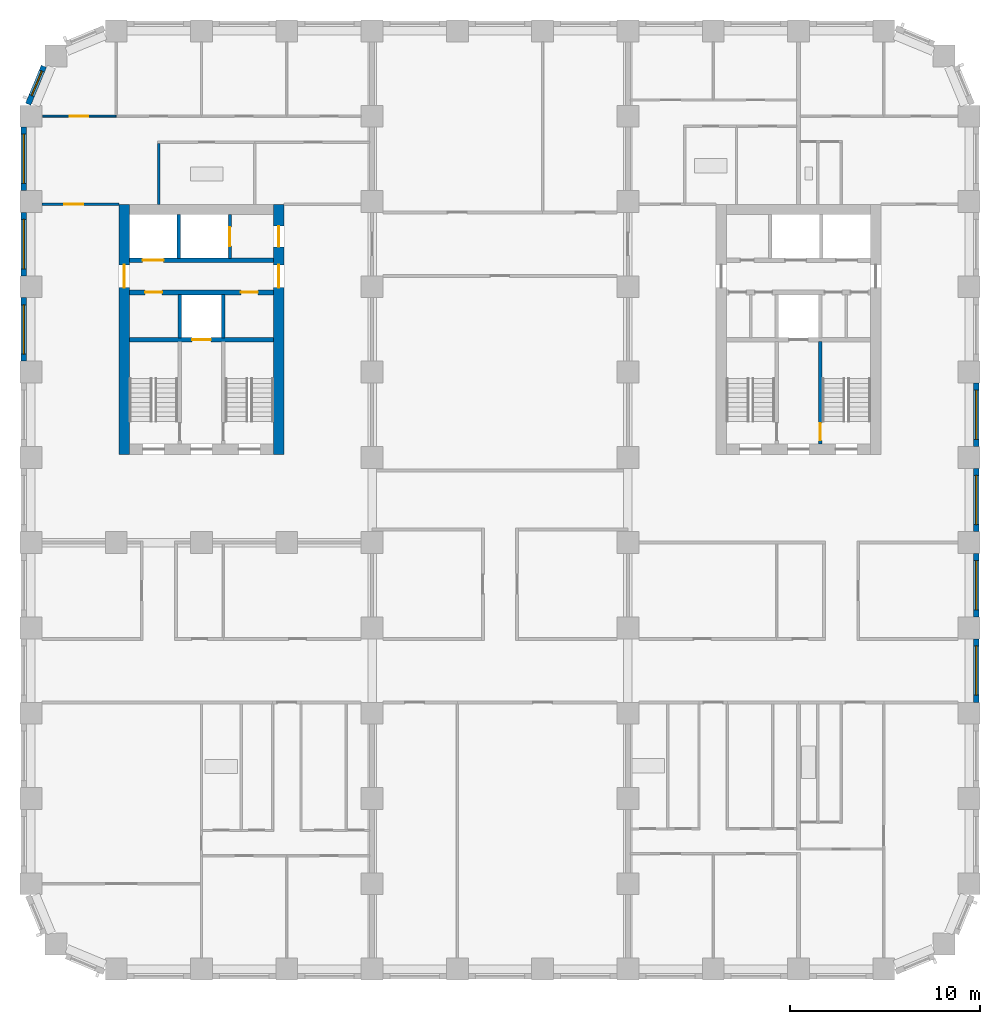
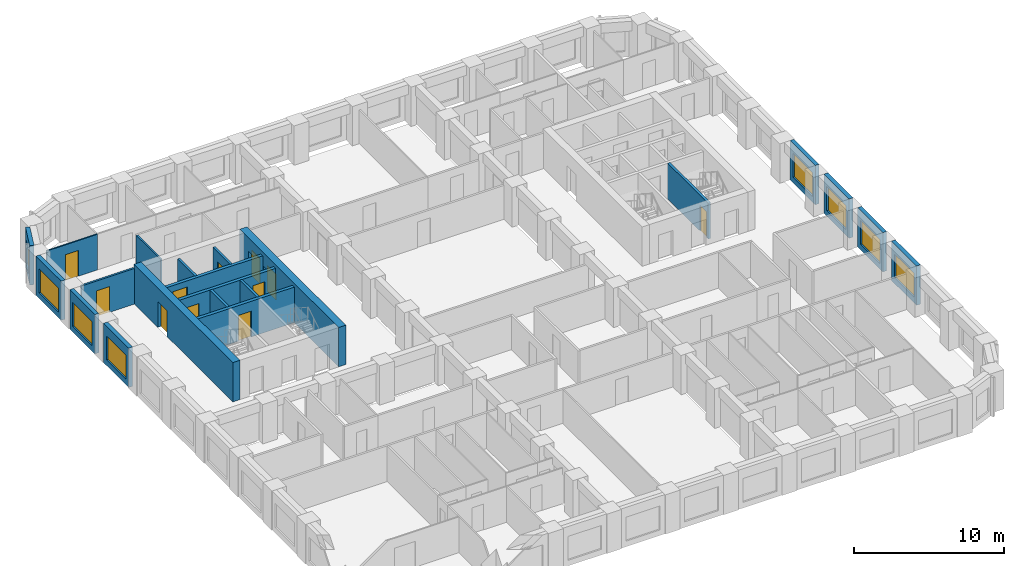
# One storey, part 6 of 12: 21 walls, 11 doors, 8 windows, 19 openings.
"""IFC4 building model written with IfcOpenShell, lengths in metres."""

from ifc_helpers import new_model, si_unit, direction, frame, frame_2d, origin, place, context, subcontext, project, spatial, rectangle, extrude, material, layer, layer_set, type_object, element, fill, save


model = new_model("IFC4")

# Units and contexts
model_context = context("Model", 3, precision=1e-05, world=origin(), true_north=direction((0.0, 1.0)))
body_context = subcontext(model_context, "Body", "Model", "MODEL_VIEW")
ifc_project = project(units=[si_unit("LENGTHUNIT", "METRE"), si_unit("AREAUNIT", "SQUARE_METRE"), si_unit("VOLUMEUNIT", "CUBIC_METRE"), si_unit("PLANEANGLEUNIT", "RADIAN"), si_unit("MASSUNIT", "GRAM", prefix="KILO")], contexts=[model_context])

# Site, building, storey
site_placement = place(None, origin())
site = spatial("IfcSite", under=ifc_project, at=site_placement, CompositionType="ELEMENT")
building_placement = place(site_placement, origin())
building = spatial("IfcBuilding", under=site, at=building_placement, Name="Girih Gate Residences", CompositionType="ELEMENT")
storey_placement = place(building_placement, frame((0.0, 0.0, 115.199951171875)))
storey = spatial("IfcBuildingStorey", under=building, at=storey_placement, Name="L32", CompositionType="ELEMENT", Elevation=115.199951171875)

# Wall, opening, door
ifc_material_1 = material(Name="Gypsum board on steel studs", Category="steel")
ifc_layer_1 = layer(ifc_material_1, 0.14990234375)
ifc_layer_set_1 = layer_set([ifc_layer_1], Name="Compartment wall 150 mm")
wall_type_1 = type_object("IfcWallType", Name="Compartment wall 150 mm", PredefinedType="PARTITIONING", material=ifc_layer_set_1)
wall_1_placement = place(storey_placement, frame((0.574951171875, 40.35009765625, 0.0), z_axis=(0.0, 0.0, 1.0), x_axis=(1.0, 0.0, 0.0)))
wall_1 = element("IfcWall", 1, at=wall_1_placement, inside=storey, type_object=wall_type_1, Name="L32 partition", PredefinedType="PARTITIONING", context=body_context, shape_type="SweptSolid", body=[
    extrude(rectangle(XDim=4.074951171875, YDim=0.14990234375, at=frame_2d((2.03759765625, 0.0))), origin(), (0.0, 0.0, 1.0), 2.900146484375),
])
opening_1_placement = place(wall_1_placement, frame((1.175048828125, 0.0, 0.0)))
opening_1 = element("IfcOpeningElement", 2, at=opening_1_placement, cuts=wall_1, Name="Opening A32-016", PredefinedType="OPENING", context=body_context, shape_type="SweptSolid", body=[
    extrude(rectangle(XDim=1.0, YDim=2.10009765625, at=frame_2d((0.5, 1.050048828125))), frame((0.0, 0.0849609375, 0.0), z_axis=(0.0, -1.0, 0.0), x_axis=(1.0, 0.0, 0.0)), (0.0, 0.0, 1.0), 0.169921875),
])
ifc_material_2 = material(Name="Timber, fire-rated core", Category="wood")
door_type_1 = type_object("IfcDoorType", Name="Flat entrance door 1000x2100 FD30S", OperationType="NOTDEFINED", PredefinedType="DOOR", material=ifc_material_2)
door_1_placement = place(opening_1_placement, origin())
door_1 = element("IfcDoor", 3, at=door_1_placement, inside=storey, type_object=door_type_1, Name="Door A32-016", OperationType="SINGLE_SWING_LEFT", OverallHeight=2.10009765625, OverallWidth=1.0, PredefinedType="DOOR", context=body_context, shape_type="SweptSolid", body=[
    extrude(rectangle(XDim=1.0, YDim=2.10009765625, at=frame_2d((0.5, 1.050048828125))), frame((0.0, 0.02490234375, 0.0), z_axis=(0.0, -1.0, 0.0), x_axis=(1.0, 0.0, 0.0)), (0.0, 0.0, 1.0), 0.050048828125),
])
fill(opening_1, door_1)

ifc_material_3 = material(Name="Concrete C60/75", Category="concrete")
ifc_layer_2 = layer(ifc_material_3, 0.550048828125)
ifc_layer_set_2 = layer_set([ifc_layer_2], Name="Core wall RC 550 Concrete C60/75")
wall_type_2 = type_object("IfcWallType", Name="Core wall RC 550 Concrete C60/75", PredefinedType="SOLIDWALL", material=ifc_layer_set_2)
wall_2_placement = place(storey_placement, frame((4.925048828125, 27.14990234375, 0.0), z_axis=(0.0, 0.0, 1.0), x_axis=(0.0, 1.0, 0.0)))
wall_2 = element("IfcWall", 4, at=wall_2_placement, inside=storey, type_object=wall_type_2, Name="Core wall W-W L32", PredefinedType="SOLIDWALL", context=body_context, shape_type="SweptSolid", body=[
    extrude(rectangle(XDim=13.2001953125, YDim=0.550048828125, at=frame_2d((6.60009765625, 0.0))), origin(), (0.0, 0.0, 1.0), 3.199951171875),
])
opening_2_placement = place(wall_2_placement, frame((8.800048828125, 0.0, 0.0)))
opening_2 = element("IfcOpeningElement", 5, at=opening_2_placement, cuts=wall_2, Name="Opening D-L32-W-012", PredefinedType="OPENING", context=body_context, shape_type="SweptSolid", body=[
    extrude(rectangle(XDim=1.199951171875, YDim=2.10009765625, at=frame_2d((0.60009765625, 1.050048828125))), frame((0.0, 0.284912109375, 0.0), z_axis=(0.0, -1.0, 0.0), x_axis=(1.0, 0.0, 0.0)), (0.0, 0.0, 1.0), 0.570068359375),
])
ifc_material_4 = material(Name="Painted steel, fire-resisting", Category="steel")
door_type_2 = type_object("IfcDoorType", Name="Fire door 1200x2100", OperationType="SINGLE_SWING_LEFT", PredefinedType="DOOR", material=ifc_material_4)
door_2_placement = place(opening_2_placement, origin())
door_2 = element("IfcDoor", 6, at=door_2_placement, inside=storey, type_object=door_type_2, Name="L32 W core door ll-w", OperationType="SINGLE_SWING_LEFT", OverallHeight=2.10009765625, OverallWidth=1.199951171875, PredefinedType="DOOR", context=body_context, shape_type="SweptSolid", body=[
    extrude(rectangle(XDim=1.199951171875, YDim=2.10009765625, at=frame_2d((0.60009765625, 1.050048828125))), frame((0.0, 0.02490234375, 0.0), z_axis=(0.0, -1.0, 0.0), x_axis=(1.0, 0.0, 0.0)), (0.0, 0.0, 1.0), 0.050048828125),
])
fill(opening_2, door_2)

# Wall, openings, doors
wall_3_placement = place(storey_placement, frame((13.074951171875, 27.14990234375, 0.0), z_axis=(0.0, 0.0, 1.0), x_axis=(0.0, 1.0, 0.0)))
wall_3 = element("IfcWall", 7, at=wall_3_placement, inside=storey, type_object=wall_type_2, Name="Core wall W-E L32", PredefinedType="SOLIDWALL", context=body_context, shape_type="SweptSolid", body=[
    extrude(rectangle(XDim=13.2001953125, YDim=0.550048828125, at=frame_2d((6.60009765625, 0.0))), origin(), (0.0, 0.0, 1.0), 3.199951171875),
])
opening_3_placement = place(wall_3_placement, frame((10.949951171875, 0.0, 0.0)))
opening_3 = element("IfcOpeningElement", 8, at=opening_3_placement, cuts=wall_3, Name="Opening D-L32-W-011", PredefinedType="OPENING", context=body_context, shape_type="SweptSolid", body=[
    extrude(rectangle(XDim=1.10009765625, YDim=2.10009765625, at=frame_2d((0.550048828125, 1.050048828125))), frame((0.0, 0.284912109375, 0.0), z_axis=(0.0, -1.0, 0.0), x_axis=(1.0, 0.0, 0.0)), (0.0, 0.0, 1.0), 0.570068359375),
])
opening_4_placement = place(wall_3_placement, frame((8.800048828125, 0.0, 0.0)))
opening_4 = element("IfcOpeningElement", 9, at=opening_4_placement, cuts=wall_3, Name="Opening D-L32-W-013", PredefinedType="OPENING", context=body_context, shape_type="SweptSolid", body=[
    extrude(rectangle(XDim=1.199951171875, YDim=2.10009765625, at=frame_2d((0.60009765625, 1.050048828125))), frame((0.0, 0.284912109375, 0.0), z_axis=(0.0, -1.0, 0.0), x_axis=(1.0, 0.0, 0.0)), (0.0, 0.0, 1.0), 0.570068359375),
])
door_type_3 = type_object("IfcDoorType", Name="Fire door 1100x2100", OperationType="SINGLE_SWING_LEFT", PredefinedType="DOOR", material=ifc_material_4)
door_3_placement = place(opening_3_placement, origin())
door_3 = element("IfcDoor", 10, at=door_3_placement, inside=storey, type_object=door_type_3, Name="L32 W core door ffl2-e", OperationType="SINGLE_SWING_LEFT", OverallHeight=2.10009765625, OverallWidth=1.10009765625, PredefinedType="DOOR", context=body_context, shape_type="SweptSolid", body=[
    extrude(rectangle(XDim=1.10009765625, YDim=2.10009765625, at=frame_2d((0.550048828125, 1.050048828125))), frame((0.0, 0.02490234375, 0.0), z_axis=(0.0, -1.0, 0.0), x_axis=(1.0, 0.0, 0.0)), (0.0, 0.0, 1.0), 0.050048828125),
])
fill(opening_3, door_3)
door_4_placement = place(opening_4_placement, origin())
door_4 = element("IfcDoor", 11, at=door_4_placement, inside=storey, type_object=door_type_2, Name="L32 W core door ll-e", OperationType="SINGLE_SWING_LEFT", OverallHeight=2.10009765625, OverallWidth=1.199951171875, PredefinedType="DOOR", context=body_context, shape_type="SweptSolid", body=[
    extrude(rectangle(XDim=1.199951171875, YDim=2.10009765625, at=frame_2d((0.60009765625, 1.050048828125))), frame((0.0, 0.02490234375, 0.0), z_axis=(0.0, -1.0, 0.0), x_axis=(1.0, 0.0, 0.0)), (0.0, 0.0, 1.0), 0.050048828125),
])
fill(opening_4, door_4)

# Wall, opening, door
ifc_material_5 = material(Name="Concrete C40/50", Category="concrete")
ifc_layer_3 = layer(ifc_material_5, 0.25)
ifc_layer_set_3 = layer_set([ifc_layer_3], Name="Lift shaft wall 250")
wall_type_3 = type_object("IfcWallType", Name="Lift shaft wall 250", PredefinedType="SOLIDWALL", material=ifc_layer_set_3)
wall_4_placement = place(storey_placement, frame((5.199951171875, 33.199951171875, 0.0), z_axis=(0.0, 0.0, 1.0), x_axis=(1.0, 0.0, 0.0)))
wall_4 = element("IfcWall", 12, at=wall_4_placement, inside=storey, type_object=wall_type_3, Name="L32 W core wall H1", PredefinedType="SOLIDWALL", context=body_context, shape_type="SweptSolid", body=[
    extrude(rectangle(XDim=7.60009765625, YDim=0.25, at=frame_2d((3.800048828125, 0.0))), origin(), (0.0, 0.0, 1.0), 2.900146484375),
])
opening_5_placement = place(wall_4_placement, frame((3.300048828125, 0.0, 0.0)))
opening_5 = element("IfcOpeningElement", 13, at=opening_5_placement, cuts=wall_4, Name="Opening D-L32-W-005", PredefinedType="OPENING", context=body_context, shape_type="SweptSolid", body=[
    extrude(rectangle(XDim=1.0, YDim=2.10009765625, at=frame_2d((0.5, 1.050048828125))), frame((0.0, 0.135009765625, 0.0), z_axis=(0.0, -1.0, 0.0), x_axis=(1.0, 0.0, 0.0)), (0.0, 0.0, 1.0), 0.27001953125),
])
ifc_material_6 = material(Name="Stainless steel, fire-resisting", Category="steel")
door_type_4 = type_object("IfcDoorType", Name="Firefighting lift landing door 1000x2100", OperationType="SLIDING_TO_LEFT", PredefinedType="DOOR", material=ifc_material_6)
door_5_placement = place(opening_5_placement, origin())
door_5 = element("IfcDoor", 14, at=door_5_placement, inside=storey, type_object=door_type_4, Name="L32 lift FF-W landing door", OperationType="SLIDING_TO_LEFT", OverallHeight=2.10009765625, OverallWidth=1.0, PredefinedType="DOOR", context=body_context, shape_type="SweptSolid", body=[
    extrude(rectangle(XDim=1.0, YDim=2.10009765625, at=frame_2d((0.5, 1.050048828125))), frame((0.0, 0.02490234375, 0.0), z_axis=(0.0, -1.0, 0.0), x_axis=(1.0, 0.0, 0.0)), (0.0, 0.0, 1.0), 0.050048828125),
])
fill(opening_5, door_5)

# Wall, openings, doors
wall_5_placement = place(storey_placement, frame((5.199951171875, 35.699951171875, 0.0), z_axis=(0.0, 0.0, 1.0), x_axis=(1.0, 0.0, 0.0)))
wall_5 = element("IfcWall", 15, at=wall_5_placement, inside=storey, type_object=wall_type_3, Name="L32 W core wall H2", PredefinedType="SOLIDWALL", context=body_context, shape_type="SweptSolid", body=[
    extrude(rectangle(XDim=7.60009765625, YDim=0.25, at=frame_2d((3.800048828125, 0.0))), origin(), (0.0, 0.0, 1.0), 2.900146484375),
])
opening_6_placement = place(wall_5_placement, frame((0.824951171875, 0.0, 0.0)))
opening_6 = element("IfcOpeningElement", 16, at=opening_6_placement, cuts=wall_5, Name="Opening D-L32-W-006", PredefinedType="OPENING", context=body_context, shape_type="SweptSolid", body=[
    extrude(rectangle(XDim=0.89990234375, YDim=2.10009765625, at=frame_2d((0.449951171875, 1.050048828125))), frame((0.0, 0.135009765625, 0.0), z_axis=(0.0, -1.0, 0.0), x_axis=(1.0, 0.0, 0.0)), (0.0, 0.0, 1.0), 0.27001953125),
])
opening_7_placement = place(wall_5_placement, frame((5.875, 0.0, 0.0)))
opening_7 = element("IfcOpeningElement", 17, at=opening_7_placement, cuts=wall_5, Name="Opening D-L32-W-007", PredefinedType="OPENING", context=body_context, shape_type="SweptSolid", body=[
    extrude(rectangle(XDim=0.89990234375, YDim=2.10009765625, at=frame_2d((0.449951171875, 1.050048828125))), frame((0.0, 0.135009765625, 0.0), z_axis=(0.0, -1.0, 0.0), x_axis=(1.0, 0.0, 0.0)), (0.0, 0.0, 1.0), 0.27001953125),
])
door_type_5 = type_object("IfcDoorType", Name="Fire door 900x2100", OperationType="SINGLE_SWING_LEFT", PredefinedType="DOOR", material=ifc_material_4)
door_6_placement = place(opening_6_placement, origin())
door_6 = element("IfcDoor", 18, at=door_6_placement, inside=storey, type_object=door_type_5, Name="L32 W riser room door", OperationType="SINGLE_SWING_LEFT", OverallHeight=2.10009765625, OverallWidth=0.89990234375, PredefinedType="DOOR", context=body_context, shape_type="SweptSolid", body=[
    extrude(rectangle(XDim=0.89990234375, YDim=2.10009765625, at=frame_2d((0.449951171875, 1.050048828125))), frame((0.0, 0.02490234375, 0.0), z_axis=(0.0, -1.0, 0.0), x_axis=(1.0, 0.0, 0.0)), (0.0, 0.0, 1.0), 0.050048828125),
])
fill(opening_6, door_6)
door_7_placement = place(opening_7_placement, origin())
door_7 = element("IfcDoor", 19, at=door_7_placement, inside=storey, type_object=door_type_5, Name="L32 W linen store door", OperationType="SINGLE_SWING_LEFT", OverallHeight=2.10009765625, OverallWidth=0.89990234375, PredefinedType="DOOR", context=body_context, shape_type="SweptSolid", body=[
    extrude(rectangle(XDim=0.89990234375, YDim=2.10009765625, at=frame_2d((0.449951171875, 1.050048828125))), frame((0.0, 0.02490234375, 0.0), z_axis=(0.0, -1.0, 0.0), x_axis=(1.0, 0.0, 0.0)), (0.0, 0.0, 1.0), 0.050048828125),
])
fill(opening_7, door_7)

# Wall, opening, door
wall_6_placement = place(storey_placement, frame((5.199951171875, 37.39990234375, 0.0), z_axis=(0.0, 0.0, 1.0), x_axis=(1.0, 0.0, 0.0)))
wall_6 = element("IfcWall", 20, at=wall_6_placement, inside=storey, type_object=wall_type_3, Name="L32 W core wall H3", PredefinedType="SOLIDWALL", context=body_context, shape_type="SweptSolid", body=[
    extrude(rectangle(XDim=7.60009765625, YDim=0.25, at=frame_2d((3.800048828125, 0.0))), origin(), (0.0, 0.0, 1.0), 2.900146484375),
])
opening_8_placement = place(wall_6_placement, frame((0.699951171875, 0.0, 0.0)))
opening_8 = element("IfcOpeningElement", 21, at=opening_8_placement, cuts=wall_6, Name="Opening D-L32-W-003", PredefinedType="OPENING", context=body_context, shape_type="SweptSolid", body=[
    extrude(rectangle(XDim=1.10009765625, YDim=2.39990234375, at=frame_2d((0.550048828125, 1.199951171875))), frame((0.0, 0.135009765625, 0.0), z_axis=(0.0, -1.0, 0.0), x_axis=(1.0, 0.0, 0.0)), (0.0, 0.0, 1.0), 0.27001953125),
])
ifc_material_7 = material(Name="Stainless steel", Category="steel")
door_type_6 = type_object("IfcDoorType", Name="Lift landing door 1100x2400", OperationType="SLIDING_TO_LEFT", PredefinedType="DOOR", material=ifc_material_7)
door_8_placement = place(opening_8_placement, origin())
door_8 = element("IfcDoor", 22, at=door_8_placement, inside=storey, type_object=door_type_6, Name="L32 lift LR-W1 landing door", OperationType="SLIDING_TO_LEFT", OverallHeight=2.39990234375, OverallWidth=1.10009765625, PredefinedType="DOOR", context=body_context, shape_type="SweptSolid", body=[
    extrude(rectangle(XDim=1.10009765625, YDim=2.39990234375, at=frame_2d((0.550048828125, 1.199951171875))), frame((0.0, 0.02490234375, 0.0), z_axis=(0.0, -1.0, 0.0), x_axis=(1.0, 0.0, 0.0)), (0.0, 0.0, 1.0), 0.050048828125),
])
fill(opening_8, door_8)

ifc_layer_4 = layer(ifc_material_1, 0.10009765625)
ifc_layer_set_4 = layer_set([ifc_layer_4], Name="Partition 100 mm")
wall_type_4 = type_object("IfcWallType", Name="Partition 100 mm", PredefinedType="PARTITIONING", material=ifc_layer_set_4)
wall_7_placement = place(storey_placement, frame((0.622314453125, 45.0, 0.0), z_axis=(0.0, 0.0, 1.0), x_axis=(1.0, 0.0, 0.0)))
wall_7 = element("IfcWall", 23, at=wall_7_placement, inside=storey, type_object=wall_type_4, Name="L32 partition", PredefinedType="PARTITIONING", context=body_context, shape_type="SweptSolid", body=[
    extrude(rectangle(XDim=3.877685546875, YDim=0.10009765625, at=frame_2d((1.93896484375, 0.0))), origin(), (0.0, 0.0, 1.0), 2.900146484375),
])
opening_9_placement = place(wall_7_placement, frame((1.4150390625, 0.0, 0.0)))
opening_9 = element("IfcOpeningElement", 24, at=opening_9_placement, cuts=wall_7, Name="Opening A32-015", PredefinedType="OPENING", context=body_context, shape_type="SweptSolid", body=[
    extrude(rectangle(XDim=1.0, YDim=2.10009765625, at=frame_2d((0.5, 1.050048828125))), frame((0.0, 0.06005859375, 0.0), z_axis=(0.0, -1.0, 0.0), x_axis=(1.0, 0.0, 0.0)), (0.0, 0.0, 1.0), 0.1201171875),
])
ifc_material_8 = material(Name="Timber", Category="wood")
door_type_7 = type_object("IfcDoorType", Name="Living room door 1000x2100", OperationType="NOTDEFINED", PredefinedType="DOOR", material=ifc_material_8)
door_9_placement = place(opening_9_placement, origin())
door_9 = element("IfcDoor", 25, at=door_9_placement, inside=storey, type_object=door_type_7, Name="Door A32-015", OperationType="SINGLE_SWING_LEFT", OverallHeight=2.10009765625, OverallWidth=1.0, PredefinedType="DOOR", context=body_context, shape_type="SweptSolid", body=[
    extrude(rectangle(XDim=1.0, YDim=2.10009765625, at=frame_2d((0.5, 1.050048828125))), frame((0.0, 0.02490234375, 0.0), z_axis=(0.0, -1.0, 0.0), x_axis=(1.0, 0.0, 0.0)), (0.0, 0.0, 1.0), 0.050048828125),
])
fill(opening_9, door_9)

# Wall, opening, window
ifc_material_9 = material(Name="Precast concrete C50/60", Category="concrete")
ifc_layer_5 = layer(ifc_material_9, 0.080078125, Name="Outer leaf")
ifc_material_10 = material(Name="Rigid PIR insulation")
ifc_layer_6 = layer(ifc_material_10, 0.14990234375, Name="Insulation")
ifc_material_11 = material(Name="Precast concrete C40/50", Category="concrete")
ifc_layer_7 = layer(ifc_material_11, 0.070068359375, Name="Inner leaf")
ifc_layer_set_5 = layer_set([ifc_layer_5, ifc_layer_6, ifc_layer_7], Name="Precast concrete C50/60 external wall 300")
wall_type_5 = type_object("IfcWallType", Name="Precast concrete C50/60 external wall 300", PredefinedType="SOLIDWALL", material=ifc_layer_set_5)
wall_8_placement = place(storey_placement, frame((49.875, 17.425048828125, 0.0), z_axis=(0.0, 0.0, 1.0), x_axis=(0.0, -1.0, 0.0)))
wall_8 = element("IfcWall", 26, at=wall_8_placement, inside=storey, type_object=wall_type_5, Name="External wall E0495_0045.2", PredefinedType="SOLIDWALL", context=body_context, shape_type="SweptSolid", body=[
    extrude(rectangle(XDim=3.35009765625, YDim=0.300048828125, at=frame_2d((1.675048828125, 0.0))), origin(), (0.0, 0.0, 1.0), 3.199951171875),
])
opening_10_placement = place(wall_8_placement, frame((0.375, 0.0, 0.449951171875)))
opening_10 = element("IfcOpeningElement", 27, at=opening_10_placement, cuts=wall_8, Name="Opening W-1A", PredefinedType="OPENING", context=body_context, shape_type="SweptSolid", body=[
    extrude(rectangle(XDim=2.60009765625, YDim=1.949951171875, at=frame_2d((1.300048828125, 0.97509765625))), frame((0.0, 0.159912109375, 0.0), z_axis=(0.0, -1.0, 0.0), x_axis=(1.0, 0.0, 0.0)), (0.0, 0.0, 1.0), 0.320068359375),
])
ifc_material_12 = material(Name="Double glazing in aluminium frame", Category="aluminium")
window_type_1 = type_object("IfcWindowType", Name="Window W-1A 2600x1950", PartitioningType="SINGLE_PANEL", PredefinedType="WINDOW", material=ifc_material_12)
window_1_placement = place(opening_10_placement, origin())
window_1 = element("IfcWindow", 28, at=window_1_placement, inside=storey, type_object=window_type_1, Name="Window W-1A E0495_0045.2", OverallHeight=1.949951171875, OverallWidth=2.60009765625, PartitioningType="SINGLE_PANEL", PredefinedType="WINDOW", context=body_context, shape_type="SweptSolid", body=[
    extrude(rectangle(XDim=2.60009765625, YDim=1.949951171875, at=frame_2d((1.300048828125, 0.97509765625))), frame((0.0, 0.030029296875, 0.0), z_axis=(0.0, -1.0, 0.0), x_axis=(1.0, 0.0, 0.0)), (0.0, 0.0, 1.0), 0.06005859375),
])
fill(opening_10, window_1)

wall_9_placement = place(storey_placement, frame((49.875, 21.925048828125, 0.0), z_axis=(0.0, 0.0, 1.0), x_axis=(0.0, -1.0, 0.0)))
wall_9 = element("IfcWall", 29, at=wall_9_placement, inside=storey, type_object=wall_type_5, Name="External wall E0495_0045.3", PredefinedType="SOLIDWALL", context=body_context, shape_type="SweptSolid", body=[
    extrude(rectangle(XDim=3.35009765625, YDim=0.300048828125, at=frame_2d((1.675048828125, 0.0))), origin(), (0.0, 0.0, 1.0), 3.199951171875),
])
opening_11_placement = place(wall_9_placement, frame((0.375, 0.0, 0.449951171875)))
opening_11 = element("IfcOpeningElement", 30, at=opening_11_placement, cuts=wall_9, Name="Opening W-1A", PredefinedType="OPENING", context=body_context, shape_type="SweptSolid", body=[
    extrude(rectangle(XDim=2.60009765625, YDim=1.949951171875, at=frame_2d((1.300048828125, 0.97509765625))), frame((0.0, 0.159912109375, 0.0), z_axis=(0.0, -1.0, 0.0), x_axis=(1.0, 0.0, 0.0)), (0.0, 0.0, 1.0), 0.320068359375),
])
window_2_placement = place(opening_11_placement, origin())
window_2 = element("IfcWindow", 31, at=window_2_placement, inside=storey, type_object=window_type_1, Name="Window W-1A E0495_0045.3", OverallHeight=1.949951171875, OverallWidth=2.60009765625, PartitioningType="SINGLE_PANEL", PredefinedType="WINDOW", context=body_context, shape_type="SweptSolid", body=[
    extrude(rectangle(XDim=2.60009765625, YDim=1.949951171875, at=frame_2d((1.300048828125, 0.97509765625))), frame((0.0, 0.030029296875, 0.0), z_axis=(0.0, -1.0, 0.0), x_axis=(1.0, 0.0, 0.0)), (0.0, 0.0, 1.0), 0.06005859375),
])
fill(opening_11, window_2)

wall_10_placement = place(storey_placement, frame((49.875, 26.425048828125, 0.0), z_axis=(0.0, 0.0, 1.0), x_axis=(0.0, -1.0, 0.0)))
wall_10 = element("IfcWall", 32, at=wall_10_placement, inside=storey, type_object=wall_type_5, Name="External wall E0495_0045.4", PredefinedType="SOLIDWALL", context=body_context, shape_type="SweptSolid", body=[
    extrude(rectangle(XDim=3.35009765625, YDim=0.300048828125, at=frame_2d((1.675048828125, 0.0))), origin(), (0.0, 0.0, 1.0), 3.199951171875),
])
opening_12_placement = place(wall_10_placement, frame((0.375, 0.0, 0.449951171875)))
opening_12 = element("IfcOpeningElement", 33, at=opening_12_placement, cuts=wall_10, Name="Opening W-1A", PredefinedType="OPENING", context=body_context, shape_type="SweptSolid", body=[
    extrude(rectangle(XDim=2.60009765625, YDim=1.949951171875, at=frame_2d((1.300048828125, 0.97509765625))), frame((0.0, 0.159912109375, 0.0), z_axis=(0.0, -1.0, 0.0), x_axis=(1.0, 0.0, 0.0)), (0.0, 0.0, 1.0), 0.320068359375),
])
window_3_placement = place(opening_12_placement, origin())
window_3 = element("IfcWindow", 34, at=window_3_placement, inside=storey, type_object=window_type_1, Name="Window W-1A E0495_0045.4", OverallHeight=1.949951171875, OverallWidth=2.60009765625, PartitioningType="SINGLE_PANEL", PredefinedType="WINDOW", context=body_context, shape_type="SweptSolid", body=[
    extrude(rectangle(XDim=2.60009765625, YDim=1.949951171875, at=frame_2d((1.300048828125, 0.97509765625))), frame((0.0, 0.030029296875, 0.0), z_axis=(0.0, -1.0, 0.0), x_axis=(1.0, 0.0, 0.0)), (0.0, 0.0, 1.0), 0.06005859375),
])
fill(opening_12, window_3)

wall_11_placement = place(storey_placement, frame((49.875, 30.925048828125, 0.0), z_axis=(0.0, 0.0, 1.0), x_axis=(0.0, -1.0, 0.0)))
wall_11 = element("IfcWall", 35, at=wall_11_placement, inside=storey, type_object=wall_type_5, Name="External wall E0495_0045.5", PredefinedType="SOLIDWALL", context=body_context, shape_type="SweptSolid", body=[
    extrude(rectangle(XDim=3.35009765625, YDim=0.300048828125, at=frame_2d((1.675048828125, 0.0))), origin(), (0.0, 0.0, 1.0), 3.199951171875),
])
opening_13_placement = place(wall_11_placement, frame((0.375, 0.0, 0.449951171875)))
opening_13 = element("IfcOpeningElement", 36, at=opening_13_placement, cuts=wall_11, Name="Opening W-1A", PredefinedType="OPENING", context=body_context, shape_type="SweptSolid", body=[
    extrude(rectangle(XDim=2.60009765625, YDim=1.949951171875, at=frame_2d((1.300048828125, 0.97509765625))), frame((0.0, 0.159912109375, 0.0), z_axis=(0.0, -1.0, 0.0), x_axis=(1.0, 0.0, 0.0)), (0.0, 0.0, 1.0), 0.320068359375),
])
window_4_placement = place(opening_13_placement, origin())
window_4 = element("IfcWindow", 37, at=window_4_placement, inside=storey, type_object=window_type_1, Name="Window W-1A E0495_0045.5", OverallHeight=1.949951171875, OverallWidth=2.60009765625, PartitioningType="SINGLE_PANEL", PredefinedType="WINDOW", context=body_context, shape_type="SweptSolid", body=[
    extrude(rectangle(XDim=2.60009765625, YDim=1.949951171875, at=frame_2d((1.300048828125, 0.97509765625))), frame((0.0, 0.030029296875, 0.0), z_axis=(0.0, -1.0, 0.0), x_axis=(1.0, 0.0, 0.0)), (0.0, 0.0, 1.0), 0.06005859375),
])
fill(opening_13, window_4)

wall_12_placement = place(storey_placement, frame((-0.14404296875, 45.63232421875, 0.0), z_axis=(0.0, 0.0, 1.0), x_axis=(0.382723818695, 0.923862802911, 0.0)))
wall_12 = element("IfcWall", 38, at=wall_12_placement, inside=storey, type_object=wall_type_5, Name="External wall NW0013_0482.0", PredefinedType="SOLIDWALL", context=body_context, shape_type="SweptSolid", body=[
    extrude(rectangle(XDim=2.163818359375, YDim=0.300048828125, at=frame_2d((1.08203125, 0.0))), origin(), (0.0, 0.0, 1.0), 3.199951171875),
])
opening_14_placement = place(wall_12_placement, frame((0.492919921875, 0.0, 0.449951171875)))
opening_14 = element("IfcOpeningElement", 39, at=opening_14_placement, cuts=wall_12, Name="Opening W-2D", PredefinedType="OPENING", context=body_context, shape_type="SweptSolid", body=[
    extrude(rectangle(XDim=1.39990234375, YDim=1.949951171875, at=frame_2d((0.699951171875, 0.97509765625))), frame((0.0, 0.159912109375, 0.0), z_axis=(0.0, -1.0, 0.0), x_axis=(1.0, 0.0, 0.0)), (0.0, 0.0, 1.0), 0.320068359375),
])
window_type_2 = type_object("IfcWindowType", Name="Window W-2D 1400x1950", PartitioningType="SINGLE_PANEL", PredefinedType="WINDOW", material=ifc_material_12)
window_5_placement = place(opening_14_placement, origin())
window_5 = element("IfcWindow", 40, at=window_5_placement, inside=storey, type_object=window_type_2, Name="Window W-2D NW0013_0482.0", OverallHeight=1.949951171875, OverallWidth=1.39990234375, PartitioningType="SINGLE_PANEL", PredefinedType="WINDOW", context=body_context, shape_type="SweptSolid", body=[
    extrude(rectangle(XDim=1.39990234375, YDim=1.949951171875, at=frame_2d((0.699951171875, 0.97509765625))), frame((0.0, 0.030029296875, 0.0), z_axis=(0.0, -1.0, 0.0), x_axis=(1.0, 0.0, 0.0)), (0.0, 0.0, 1.0), 0.06005859375),
])
fill(opening_14, window_5)

wall_13_placement = place(storey_placement, frame((-0.375, 41.074951171875, 0.0), z_axis=(0.0, 0.0, 1.0), x_axis=(0.0, 1.0, 0.0)))
wall_13 = element("IfcWall", 41, at=wall_13_placement, inside=storey, type_object=wall_type_5, Name="External wall W0000_0450.0", PredefinedType="SOLIDWALL", context=body_context, shape_type="SweptSolid", body=[
    extrude(rectangle(XDim=3.35009765625, YDim=0.300048828125, at=frame_2d((1.675048828125, 0.0))), origin(), (0.0, 0.0, 1.0), 3.199951171875),
])
opening_15_placement = place(wall_13_placement, frame((0.375, 0.0, 0.449951171875)))
opening_15 = element("IfcOpeningElement", 42, at=opening_15_placement, cuts=wall_13, Name="Opening W-1A", PredefinedType="OPENING", context=body_context, shape_type="SweptSolid", body=[
    extrude(rectangle(XDim=2.60009765625, YDim=1.949951171875, at=frame_2d((1.300048828125, 0.97509765625))), frame((0.0, 0.159912109375, 0.0), z_axis=(0.0, -1.0, 0.0), x_axis=(1.0, 0.0, 0.0)), (0.0, 0.0, 1.0), 0.320068359375),
])
window_6_placement = place(opening_15_placement, origin())
window_6 = element("IfcWindow", 43, at=window_6_placement, inside=storey, type_object=window_type_1, Name="Window W-1A W0000_0450.0", OverallHeight=1.949951171875, OverallWidth=2.60009765625, PartitioningType="SINGLE_PANEL", PredefinedType="WINDOW", context=body_context, shape_type="SweptSolid", body=[
    extrude(rectangle(XDim=2.60009765625, YDim=1.949951171875, at=frame_2d((1.300048828125, 0.97509765625))), frame((0.0, 0.030029296875, 0.0), z_axis=(0.0, -1.0, 0.0), x_axis=(1.0, 0.0, 0.0)), (0.0, 0.0, 1.0), 0.06005859375),
])
fill(opening_15, window_6)

wall_14_placement = place(storey_placement, frame((-0.375, 36.574951171875, 0.0), z_axis=(0.0, 0.0, 1.0), x_axis=(0.0, 1.0, 0.0)))
wall_14 = element("IfcWall", 44, at=wall_14_placement, inside=storey, type_object=wall_type_5, Name="External wall W0000_0450.1", PredefinedType="SOLIDWALL", context=body_context, shape_type="SweptSolid", body=[
    extrude(rectangle(XDim=3.35009765625, YDim=0.300048828125, at=frame_2d((1.675048828125, 0.0))), origin(), (0.0, 0.0, 1.0), 3.199951171875),
])
opening_16_placement = place(wall_14_placement, frame((0.375, 0.0, 0.449951171875)))
opening_16 = element("IfcOpeningElement", 45, at=opening_16_placement, cuts=wall_14, Name="Opening W-1A", PredefinedType="OPENING", context=body_context, shape_type="SweptSolid", body=[
    extrude(rectangle(XDim=2.60009765625, YDim=1.949951171875, at=frame_2d((1.300048828125, 0.97509765625))), frame((0.0, 0.159912109375, 0.0), z_axis=(0.0, -1.0, 0.0), x_axis=(1.0, 0.0, 0.0)), (0.0, 0.0, 1.0), 0.320068359375),
])
window_7_placement = place(opening_16_placement, origin())
window_7 = element("IfcWindow", 46, at=window_7_placement, inside=storey, type_object=window_type_1, Name="Window W-1A W0000_0450.1", OverallHeight=1.949951171875, OverallWidth=2.60009765625, PartitioningType="SINGLE_PANEL", PredefinedType="WINDOW", context=body_context, shape_type="SweptSolid", body=[
    extrude(rectangle(XDim=2.60009765625, YDim=1.949951171875, at=frame_2d((1.300048828125, 0.97509765625))), frame((0.0, 0.030029296875, 0.0), z_axis=(0.0, -1.0, 0.0), x_axis=(1.0, 0.0, 0.0)), (0.0, 0.0, 1.0), 0.06005859375),
])
fill(opening_16, window_7)

wall_15_placement = place(storey_placement, frame((-0.375, 32.074951171875, 0.0), z_axis=(0.0, 0.0, 1.0), x_axis=(0.0, 1.0, 0.0)))
wall_15 = element("IfcWall", 47, at=wall_15_placement, inside=storey, type_object=wall_type_5, Name="External wall W0000_0450.2", PredefinedType="SOLIDWALL", context=body_context, shape_type="SweptSolid", body=[
    extrude(rectangle(XDim=3.35009765625, YDim=0.300048828125, at=frame_2d((1.675048828125, 0.0))), origin(), (0.0, 0.0, 1.0), 3.199951171875),
])
opening_17_placement = place(wall_15_placement, frame((0.375, 0.0, 0.449951171875)))
opening_17 = element("IfcOpeningElement", 48, at=opening_17_placement, cuts=wall_15, Name="Opening W-1A", PredefinedType="OPENING", context=body_context, shape_type="SweptSolid", body=[
    extrude(rectangle(XDim=2.60009765625, YDim=1.949951171875, at=frame_2d((1.300048828125, 0.97509765625))), frame((0.0, 0.159912109375, 0.0), z_axis=(0.0, -1.0, 0.0), x_axis=(1.0, 0.0, 0.0)), (0.0, 0.0, 1.0), 0.320068359375),
])
window_8_placement = place(opening_17_placement, origin())
window_8 = element("IfcWindow", 49, at=window_8_placement, inside=storey, type_object=window_type_1, Name="Window W-1A W0000_0450.2", OverallHeight=1.949951171875, OverallWidth=2.60009765625, PartitioningType="SINGLE_PANEL", PredefinedType="WINDOW", context=body_context, shape_type="SweptSolid", body=[
    extrude(rectangle(XDim=2.60009765625, YDim=1.949951171875, at=frame_2d((1.300048828125, 0.97509765625))), frame((0.0, 0.030029296875, 0.0), z_axis=(0.0, -1.0, 0.0), x_axis=(1.0, 0.0, 0.0)), (0.0, 0.0, 1.0), 0.06005859375),
])
fill(opening_17, window_8)

# Wall
ifc_layer_8 = layer(ifc_material_5, 0.175048828125)
ifc_layer_set_6 = layer_set([ifc_layer_8], Name="Riser shaft wall 175")
wall_type_6 = type_object("IfcWallType", Name="Riser shaft wall 175", PredefinedType="SOLIDWALL", material=ifc_layer_set_6)
wall_16_placement = place(storey_placement, frame((7.800048828125, 37.5, 0.0), z_axis=(0.0, 0.0, 1.0), x_axis=(0.0, 1.0, 0.0)))
element("IfcWall", 50, at=wall_16_placement, inside=storey, type_object=wall_type_6, Name="L32 W core wall V1c", PredefinedType="SOLIDWALL", context=body_context, shape_type="SweptSolid", body=[
    extrude(rectangle(XDim=2.300048828125, YDim=0.175048828125, at=frame_2d((1.14990234375, 0.0))), origin(), (0.0, 0.0, 1.0), 2.900146484375),
])

# Wall, opening, door
wall_17_placement = place(storey_placement, frame((10.5, 37.5, 0.0), z_axis=(0.0, 0.0, 1.0), x_axis=(0.0, 1.0, 0.0)))
wall_17 = element("IfcWall", 51, at=wall_17_placement, inside=storey, type_object=wall_type_6, Name="L32 W core wall V2c", PredefinedType="SOLIDWALL", context=body_context, shape_type="SweptSolid", body=[
    extrude(rectangle(XDim=2.300048828125, YDim=0.175048828125, at=frame_2d((1.14990234375, 0.0))), origin(), (0.0, 0.0, 1.0), 2.900146484375),
])
opening_18_placement = place(wall_17_placement, frame((0.64990234375, 0.0, 0.0)))
opening_18 = element("IfcOpeningElement", 52, at=opening_18_placement, cuts=wall_17, Name="Opening D-L32-W-004", PredefinedType="OPENING", context=body_context, shape_type="SweptSolid", body=[
    extrude(rectangle(XDim=1.0, YDim=2.10009765625, at=frame_2d((0.5, 1.050048828125))), frame((0.0, 0.097412109375, 0.0), z_axis=(0.0, -1.0, 0.0), x_axis=(1.0, 0.0, 0.0)), (0.0, 0.0, 1.0), 0.195068359375),
])
door_10_placement = place(opening_18_placement, origin())
door_10 = element("IfcDoor", 53, at=door_10_placement, inside=storey, type_object=door_type_4, Name="L32 lift FF-W2 landing door", OperationType="SLIDING_TO_LEFT", OverallHeight=2.10009765625, OverallWidth=1.0, PredefinedType="DOOR", context=body_context, shape_type="SweptSolid", body=[
    extrude(rectangle(XDim=1.0, YDim=2.10009765625, at=frame_2d((0.5, 1.050048828125))), frame((0.0, 0.02490234375, 0.0), z_axis=(0.0, -1.0, 0.0), x_axis=(1.0, 0.0, 0.0)), (0.0, 0.0, 1.0), 0.050048828125),
])
fill(opening_18, door_10)

# Walls
ifc_layer_9 = layer(ifc_material_5, 0.199951171875)
ifc_layer_set_7 = layer_set([ifc_layer_9], Name="Shaft wall 200")
wall_type_7 = type_object("IfcWallType", Name="Shaft wall 200", PredefinedType="SOLIDWALL", material=ifc_layer_set_7)
for number, where, z_axis, x_axis, name in (
    (54, (7.85009765625, 33.300048828125, 0.0), (0.0, 0.0, 1.0), (0.0, 1.0, 0.0), "L32 W core wall V1b"),
    (55, (10.14990234375, 33.300048828125, 0.0), (0.0, 0.0, 1.0), (0.0, 1.0, 0.0), "L32 W core wall V2b"),
):
    element("IfcWall", number, at=place(storey_placement, frame(where, z_axis=z_axis, x_axis=x_axis)), inside=storey, type_object=wall_type_7, Name=name, PredefinedType="SOLIDWALL", context=body_context, shape_type="SweptSolid", body=[
        extrude(rectangle(XDim=2.300048828125, YDim=0.199951171875, at=frame_2d((1.14990234375, 0.0))), origin(), (0.0, 0.0, 1.0), 2.900146484375),
    ])

# Wall, opening, door
wall_18_placement = place(storey_placement, frame((41.64990234375, 27.699951171875, 0.0), z_axis=(0.0, 0.0, 1.0), x_axis=(0.0, 1.0, 0.0)))
wall_18 = element("IfcWall", 56, at=wall_18_placement, inside=storey, type_object=wall_type_7, Name="L32 E core wall V1a", PredefinedType="SOLIDWALL", context=body_context, shape_type="SweptSolid", body=[
    extrude(rectangle(XDim=5.400146484375, YDim=0.199951171875, at=frame_2d((2.7001953125, 0.0))), origin(), (0.0, 0.0, 1.0), 2.900146484375),
])
opening_19_placement = place(wall_18_placement, frame((0.199951171875, 0.0, 0.0)))
opening_19 = element("IfcOpeningElement", 57, at=opening_19_placement, cuts=wall_18, Name="Opening D-L32-E-001", PredefinedType="OPENING", context=body_context, shape_type="SweptSolid", body=[
    extrude(rectangle(XDim=0.89990234375, YDim=2.10009765625, at=frame_2d((0.449951171875, 1.050048828125))), frame((0.0, 0.10986328125, 0.0), z_axis=(0.0, -1.0, 0.0), x_axis=(1.0, 0.0, 0.0)), (0.0, 0.0, 1.0), 0.219970703125),
])
door_11_placement = place(opening_19_placement, origin())
door_11 = element("IfcDoor", 58, at=door_11_placement, inside=storey, type_object=door_type_5, Name="L32 E door stair 1 to firefighting lobby", OperationType="SINGLE_SWING_LEFT", OverallHeight=2.10009765625, OverallWidth=0.89990234375, PredefinedType="DOOR", context=body_context, shape_type="SweptSolid", body=[
    extrude(rectangle(XDim=0.89990234375, YDim=2.10009765625, at=frame_2d((0.449951171875, 1.050048828125))), frame((0.0, 0.02490234375, 0.0), z_axis=(0.0, -1.0, 0.0), x_axis=(1.0, 0.0, 0.0)), (0.0, 0.0, 1.0), 0.050048828125),
])
fill(opening_19, door_11)

# Wall
ifc_layer_10 = layer(ifc_material_1, 0.125)
ifc_layer_set_8 = layer_set([ifc_layer_10], Name="Wet room wall 125 mm")
wall_type_8 = type_object("IfcWallType", Name="Wet room wall 125 mm", PredefinedType="PARTITIONING", material=ifc_layer_set_8)
wall_19_placement = place(storey_placement, frame((6.75, 40.35009765625, 0.0), z_axis=(0.0, 0.0, 1.0), x_axis=(0.0, 1.0, 0.0)))
element("IfcWall", 59, at=wall_19_placement, inside=storey, type_object=wall_type_8, Name="L32 partition", PredefinedType="PARTITIONING", context=body_context, shape_type="SweptSolid", body=[
    extrude(rectangle(XDim=3.20751953125, YDim=0.125, at=frame_2d((1.603759765625, 0.0))), origin(), (0.0, 0.0, 1.0), 2.900146484375),
])

save(model, "model.ifc")
